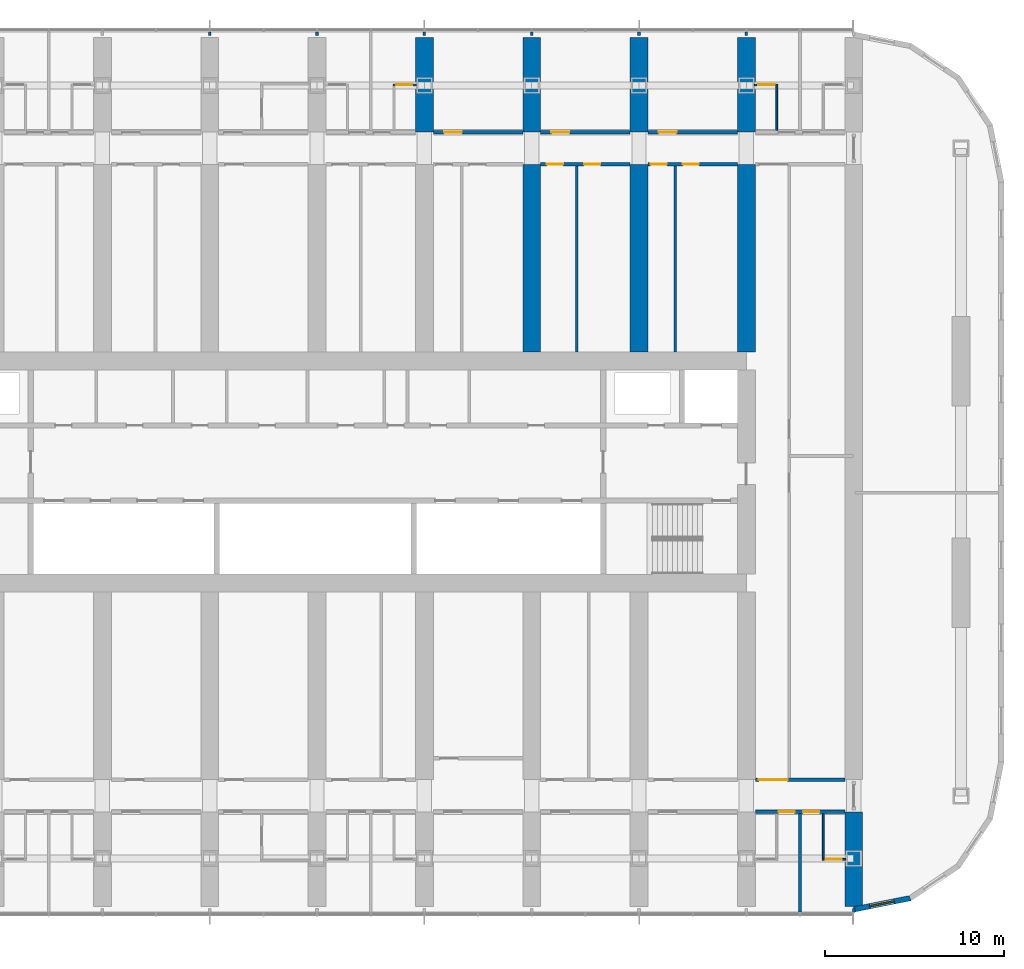
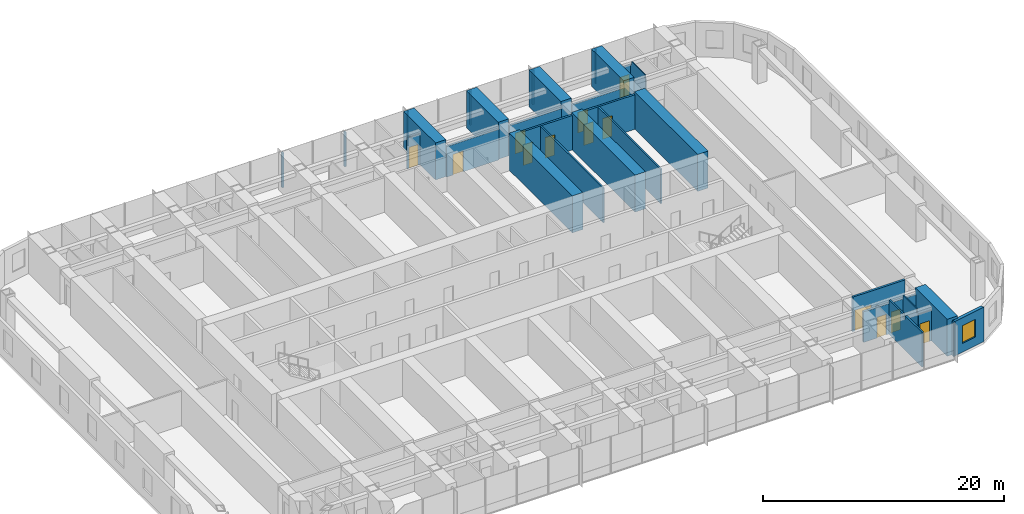
# One storey, part 16 of 23: 31 walls, 13 doors, 1 window, 14 openings.
"""IFC4 building model written with IfcOpenShell, lengths in metres."""

from ifc_helpers import new_model, si_unit, direction, frame, frame_2d, origin, place, context, subcontext, project, spatial, polyline, rectangle, outline, extrude, material, layer, layer_set, type_object, element, fill, save


model = new_model("IFC4")

# Units and contexts
model_context = context("Model", 3, precision=1e-05, world=origin(), true_north=direction((0.0, 1.0)))
body_context = subcontext(model_context, "Body", "Model", "MODEL_VIEW")
ifc_project = project(units=[si_unit("LENGTHUNIT", "METRE"), si_unit("AREAUNIT", "SQUARE_METRE"), si_unit("VOLUMEUNIT", "CUBIC_METRE"), si_unit("PLANEANGLEUNIT", "RADIAN"), si_unit("MASSUNIT", "GRAM", prefix="KILO")], contexts=[model_context])

# Site, building, storey
site_placement = place(None, origin())
site = spatial("IfcSite", under=ifc_project, at=site_placement, CompositionType="ELEMENT")
building_placement = place(site_placement, origin())
building = spatial("IfcBuilding", under=site, at=building_placement, Name="Orbita Commons", CompositionType="ELEMENT")
storey_placement = place(building_placement, frame((0.0, 0.0, 61.449951171875)))
storey = spatial("IfcBuildingStorey", under=building, at=storey_placement, Name="L15", CompositionType="ELEMENT", Elevation=61.449951171875)

# Wall, openings, doors
ifc_material_1 = material(Name="Concrete blockwork", Category="masonry")
ifc_layer_1 = layer(ifc_material_1, 0.199951171875)
ifc_layer_set_1 = layer_set([ifc_layer_1], Name="Concrete blockwork")
wall_type_1 = type_object("IfcWallType", Name="Corridor wall 200 blockwork", PredefinedType="SOLIDWALL", material=ifc_layer_set_1)
wall_1_placement = place(storey_placement, frame((66.5, 13.0, 0.0), z_axis=(0.0, 0.0, 1.0), x_axis=(1.0, 0.0, 0.0)))
wall_1 = element("IfcWall", 1, at=wall_1_placement, inside=storey, type_object=wall_type_1, Name="Corridor wall 200 blockwork L15", PredefinedType="SOLIDWALL", context=body_context, shape_type="SweptSolid", body=[
    extrude(outline(polyline([(0.0, 0.0), (5.0, 0.0), (5.0, 3.10009765625), (0.0, 3.10009765625), (0.0, 0.0)])), frame((0.0, 0.10009765625, 0.0), z_axis=(0.0, -1.0, 0.0), x_axis=(1.0, 0.0, 0.0)), (0.0, 0.0, 1.0), 0.199951171875),
])
opening_1_placement = place(wall_1_placement, frame((1.300048828125, 0.0, 0.0)))
opening_1 = element("IfcOpeningElement", 2, at=opening_1_placement, cuts=wall_1, Name="Opening D11", PredefinedType="OPENING", context=body_context, shape_type="SweptSolid", body=[
    extrude(rectangle(XDim=0.89990234375, YDim=2.10009765625, at=frame_2d((0.449951171875, 1.050048828125))), frame((0.0, 0.10986328125, 0.0), z_axis=(0.0, -1.0, 0.0), x_axis=(1.0, 0.0, 0.0)), (0.0, 0.0, 1.0), 0.219970703125),
])
opening_2_placement = place(wall_1_placement, frame((2.675048828125, 0.0, 0.0)))
opening_2 = element("IfcOpeningElement", 3, at=opening_2_placement, cuts=wall_1, Name="Opening D11", PredefinedType="OPENING", context=body_context, shape_type="SweptSolid", body=[
    extrude(rectangle(XDim=0.89990234375, YDim=2.10009765625, at=frame_2d((0.449951171875, 1.050048828125))), frame((0.0, 0.10986328125, 0.0), z_axis=(0.0, -1.0, 0.0), x_axis=(1.0, 0.0, 0.0)), (0.0, 0.0, 1.0), 0.219970703125),
])
ifc_material_2 = material(Name="Steel-faced fire door leaf", Category="steel")
door_type_1 = type_object("IfcDoorType", Name="Corridor door 20 min 900x2100", OperationType="SINGLE_SWING_LEFT", PredefinedType="DOOR", material=ifc_material_2)
door_1_placement = place(opening_1_placement, origin())
door_1 = element("IfcDoor", 4, at=door_1_placement, inside=storey, type_object=door_type_1, Name="House bedroom L15-S18 door", OperationType="SINGLE_SWING_LEFT", OverallHeight=2.10009765625, OverallWidth=0.89990234375, PredefinedType="DOOR", context=body_context, shape_type="SweptSolid", body=[
    extrude(rectangle(XDim=0.89990234375, YDim=2.10009765625, at=frame_2d((0.449951171875, 1.050048828125))), frame((0.0, 0.02490234375, 0.0), z_axis=(0.0, -1.0, 0.0), x_axis=(1.0, 0.0, 0.0)), (0.0, 0.0, 1.0), 0.050048828125),
])
fill(opening_1, door_1)
door_2_placement = place(opening_2_placement, origin())
door_2 = element("IfcDoor", 5, at=door_2_placement, inside=storey, type_object=door_type_1, Name="House bedroom L15-S19 door", OperationType="SINGLE_SWING_LEFT", OverallHeight=2.10009765625, OverallWidth=0.89990234375, PredefinedType="DOOR", context=body_context, shape_type="SweptSolid", body=[
    extrude(rectangle(XDim=0.89990234375, YDim=2.10009765625, at=frame_2d((0.449951171875, 1.050048828125))), frame((0.0, 0.02490234375, 0.0), z_axis=(0.0, -1.0, 0.0), x_axis=(1.0, 0.0, 0.0)), (0.0, 0.0, 1.0), 0.050048828125),
])
fill(opening_2, door_2)

# Wall, opening, door
wall_2_placement = place(storey_placement, frame((48.5, 51.0, 0.0), z_axis=(0.0, 0.0, 1.0), x_axis=(1.0, 0.0, 0.0)))
wall_2 = element("IfcWall", 6, at=wall_2_placement, inside=storey, type_object=wall_type_1, Name="Corridor wall 200 blockwork L15", PredefinedType="SOLIDWALL", context=body_context, shape_type="SweptSolid", body=[
    extrude(outline(polyline([(0.0, 0.0), (5.0, 0.0), (5.0, 3.10009765625), (0.0, 3.10009765625), (0.0, 0.0)])), frame((0.0, 0.10009765625, 0.0), z_axis=(0.0, -1.0, 0.0), x_axis=(1.0, 0.0, 0.0)), (0.0, 0.0, 1.0), 0.199951171875),
])
opening_3_placement = place(wall_2_placement, frame((0.60009765625, 0.0, 0.0)))
opening_3 = element("IfcOpeningElement", 7, at=opening_3_placement, cuts=wall_2, Name="Opening D06", PredefinedType="OPENING", context=body_context, shape_type="SweptSolid", body=[
    extrude(rectangle(XDim=1.0, YDim=2.10009765625, at=frame_2d((0.5, 1.050048828125))), frame((0.0, 0.10986328125, 0.0), z_axis=(0.0, -1.0, 0.0), x_axis=(1.0, 0.0, 0.0)), (0.0, 0.0, 1.0), 0.219970703125),
])
ifc_material_3 = material(Name="Steel-faced fire door leaf", Category="steel")
door_type_2 = type_object("IfcDoorType", Name="Corridor door 20 min 1000x2100", OperationType="SINGLE_SWING_LEFT", PredefinedType="DOOR", material=ifc_material_3)
door_3_placement = place(opening_3_placement, origin())
door_3 = element("IfcDoor", 8, at=door_3_placement, inside=storey, type_object=door_type_2, Name="House study room L15-N12 door", OperationType="SINGLE_SWING_LEFT", OverallHeight=2.10009765625, OverallWidth=1.0, PredefinedType="DOOR", context=body_context, shape_type="SweptSolid", body=[
    extrude(rectangle(XDim=1.0, YDim=2.10009765625, at=frame_2d((0.5, 1.050048828125))), frame((0.0, 0.02490234375, 0.0), z_axis=(0.0, -1.0, 0.0), x_axis=(1.0, 0.0, 0.0)), (0.0, 0.0, 1.0), 0.050048828125),
])
fill(opening_3, door_3)

wall_3_placement = place(storey_placement, frame((54.5, 51.0, 0.0), z_axis=(0.0, 0.0, 1.0), x_axis=(1.0, 0.0, 0.0)))
wall_3 = element("IfcWall", 9, at=wall_3_placement, inside=storey, type_object=wall_type_1, Name="Corridor wall 200 blockwork L15", PredefinedType="SOLIDWALL", context=body_context, shape_type="SweptSolid", body=[
    extrude(outline(polyline([(0.0, 0.0), (5.0, 0.0), (5.0, 3.10009765625), (0.0, 3.10009765625), (0.0, 0.0)])), frame((0.0, 0.10009765625, 0.0), z_axis=(0.0, -1.0, 0.0), x_axis=(1.0, 0.0, 0.0)), (0.0, 0.0, 1.0), 0.199951171875),
])
opening_4_placement = place(wall_3_placement, frame((0.60009765625, 0.0, 0.0)))
opening_4 = element("IfcOpeningElement", 10, at=opening_4_placement, cuts=wall_3, Name="Opening D06", PredefinedType="OPENING", context=body_context, shape_type="SweptSolid", body=[
    extrude(rectangle(XDim=1.0, YDim=2.10009765625, at=frame_2d((0.5, 1.050048828125))), frame((0.0, 0.10986328125, 0.0), z_axis=(0.0, -1.0, 0.0), x_axis=(1.0, 0.0, 0.0)), (0.0, 0.0, 1.0), 0.219970703125),
])
door_4_placement = place(opening_4_placement, origin())
door_4 = element("IfcDoor", 11, at=door_4_placement, inside=storey, type_object=door_type_2, Name="House kitchen-diner L15-N14 door", OperationType="SINGLE_SWING_LEFT", OverallHeight=2.10009765625, OverallWidth=1.0, PredefinedType="DOOR", context=body_context, shape_type="SweptSolid", body=[
    extrude(rectangle(XDim=1.0, YDim=2.10009765625, at=frame_2d((0.5, 1.050048828125))), frame((0.0, 0.02490234375, 0.0), z_axis=(0.0, -1.0, 0.0), x_axis=(1.0, 0.0, 0.0)), (0.0, 0.0, 1.0), 0.050048828125),
])
fill(opening_4, door_4)

wall_4_placement = place(storey_placement, frame((60.5, 51.0, 0.0), z_axis=(0.0, 0.0, 1.0), x_axis=(1.0, 0.0, 0.0)))
wall_4 = element("IfcWall", 12, at=wall_4_placement, inside=storey, type_object=wall_type_1, Name="Corridor wall 200 blockwork L15", PredefinedType="SOLIDWALL", context=body_context, shape_type="SweptSolid", body=[
    extrude(outline(polyline([(0.0, 0.0), (5.0, 0.0), (5.0, 3.10009765625), (0.0, 3.10009765625), (0.0, 0.0)])), frame((0.0, 0.10009765625, 0.0), z_axis=(0.0, -1.0, 0.0), x_axis=(1.0, 0.0, 0.0)), (0.0, 0.0, 1.0), 0.199951171875),
])
opening_5_placement = place(wall_4_placement, frame((0.60009765625, 0.0, 0.0)))
opening_5 = element("IfcOpeningElement", 13, at=opening_5_placement, cuts=wall_4, Name="Opening D06", PredefinedType="OPENING", context=body_context, shape_type="SweptSolid", body=[
    extrude(rectangle(XDim=1.0, YDim=2.10009765625, at=frame_2d((0.5, 1.050048828125))), frame((0.0, 0.10986328125, 0.0), z_axis=(0.0, -1.0, 0.0), x_axis=(1.0, 0.0, 0.0)), (0.0, 0.0, 1.0), 0.219970703125),
])
door_5_placement = place(opening_5_placement, origin())
door_5 = element("IfcDoor", 14, at=door_5_placement, inside=storey, type_object=door_type_2, Name="House study room L15-N16 door", OperationType="SINGLE_SWING_LEFT", OverallHeight=2.10009765625, OverallWidth=1.0, PredefinedType="DOOR", context=body_context, shape_type="SweptSolid", body=[
    extrude(rectangle(XDim=1.0, YDim=2.10009765625, at=frame_2d((0.5, 1.050048828125))), frame((0.0, 0.02490234375, 0.0), z_axis=(0.0, -1.0, 0.0), x_axis=(1.0, 0.0, 0.0)), (0.0, 0.0, 1.0), 0.050048828125),
])
fill(opening_5, door_5)

ifc_material_4 = material(Name="Hollow concrete block 200", Category="concrete")
ifc_layer_2 = layer(ifc_material_4, 0.199951171875)
ifc_layer_set_2 = layer_set([ifc_layer_2], Name="Hollow concrete block 200")
wall_type_2 = type_object("IfcWallType", Name="Corridor wall 200 hollow concrete block", PredefinedType="SOLIDWALL", material=ifc_layer_set_2)
wall_5_placement = place(storey_placement, frame((66.5, 14.800048828125, 0.0), z_axis=(0.0, 0.0, 1.0), x_axis=(1.0, 0.0, 0.0)))
wall_5 = element("IfcWall", 15, at=wall_5_placement, inside=storey, type_object=wall_type_2, Name="Corridor wall 200 hollow concrete block L15", PredefinedType="SOLIDWALL", context=body_context, shape_type="SweptSolid", body=[
    extrude(rectangle(XDim=5.0, YDim=0.199951171875, at=frame_2d((2.5, 0.0))), origin(), (0.0, 0.0, 1.0), 3.5),
])
opening_6_placement = place(wall_5_placement, frame((0.199951171875, 0.0, 0.0)))
opening_6 = element("IfcOpeningElement", 16, at=opening_6_placement, cuts=wall_5, Name="Opening D10", PredefinedType="OPENING", context=body_context, shape_type="SweptSolid", body=[
    extrude(rectangle(XDim=1.60009765625, YDim=2.10009765625, at=frame_2d((0.800048828125, 1.050048828125))), frame((0.0, 0.10986328125, 0.0), z_axis=(0.0, -1.0, 0.0), x_axis=(1.0, 0.0, 0.0)), (0.0, 0.0, 1.0), 0.219970703125),
])
ifc_material_5 = material(Name="Steel-faced fire door leaf", Category="steel")
door_type_3 = type_object("IfcDoorType", Name="Double corridor door 20 min 1600x2100", OperationType="DOUBLE_DOOR_SINGLE_SWING", PredefinedType="DOOR", material=ifc_material_5)
door_6_placement = place(opening_6_placement, origin())
door_6 = element("IfcDoor", 17, at=door_6_placement, inside=storey, type_object=door_type_3, Name="Cross corridor doors", OperationType="DOUBLE_DOOR_SINGLE_SWING", OverallHeight=2.10009765625, OverallWidth=1.60009765625, PredefinedType="DOOR", context=body_context, shape_type="SweptSolid", body=[
    extrude(rectangle(XDim=1.60009765625, YDim=2.10009765625, at=frame_2d((0.800048828125, 1.050048828125))), frame((0.0, 0.02490234375, 0.0), z_axis=(0.0, -1.0, 0.0), x_axis=(1.0, 0.0, 0.0)), (0.0, 0.0, 1.0), 0.050048828125),
])
fill(opening_6, door_6)

# Wall, openings, doors
wall_6_placement = place(storey_placement, frame((54.5, 49.199951171875, 0.0), z_axis=(0.0, 0.0, 1.0), x_axis=(1.0, 0.0, 0.0)))
wall_6 = element("IfcWall", 18, at=wall_6_placement, inside=storey, type_object=wall_type_2, Name="Corridor wall 200 hollow concrete block L15", PredefinedType="SOLIDWALL", context=body_context, shape_type="SweptSolid", body=[
    extrude(rectangle(XDim=5.0, YDim=0.199951171875, at=frame_2d((2.5, 0.0))), origin(), (0.0, 0.0, 1.0), 3.5),
])
opening_7_placement = place(wall_6_placement, frame((0.35009765625, 0.0, 0.0)))
opening_7 = element("IfcOpeningElement", 19, at=opening_7_placement, cuts=wall_6, Name="Opening D11", PredefinedType="OPENING", context=body_context, shape_type="SweptSolid", body=[
    extrude(rectangle(XDim=0.89990234375, YDim=2.10009765625, at=frame_2d((0.449951171875, 1.050048828125))), frame((0.0, 0.10986328125, 0.0), z_axis=(0.0, -1.0, 0.0), x_axis=(1.0, 0.0, 0.0)), (0.0, 0.0, 1.0), 0.219970703125),
])
opening_8_placement = place(wall_6_placement, frame((2.43505859375, 0.0, 0.0)))
opening_8 = element("IfcOpeningElement", 20, at=opening_8_placement, cuts=wall_6, Name="Opening D11", PredefinedType="OPENING", context=body_context, shape_type="SweptSolid", body=[
    extrude(rectangle(XDim=0.89990234375, YDim=2.10009765625, at=frame_2d((0.449951171875, 1.050048828125))), frame((0.0, 0.10986328125, 0.0), z_axis=(0.0, -1.0, 0.0), x_axis=(1.0, 0.0, 0.0)), (0.0, 0.0, 1.0), 0.219970703125),
])
door_7_placement = place(opening_7_placement, origin())
door_7 = element("IfcDoor", 21, at=door_7_placement, inside=storey, type_object=door_type_1, Name="Battery and UPS room L15-BDN54n door", OperationType="SINGLE_SWING_LEFT", OverallHeight=2.10009765625, OverallWidth=0.89990234375, PredefinedType="DOOR", context=body_context, shape_type="SweptSolid", body=[
    extrude(rectangle(XDim=0.89990234375, YDim=2.10009765625, at=frame_2d((0.449951171875, 1.050048828125))), frame((0.0, 0.02490234375, 0.0), z_axis=(0.0, -1.0, 0.0), x_axis=(1.0, 0.0, 0.0)), (0.0, 0.0, 1.0), 0.050048828125),
])
fill(opening_7, door_7)
door_8_placement = place(opening_8_placement, origin())
door_8 = element("IfcDoor", 22, at=door_8_placement, inside=storey, type_object=door_type_1, Name="Storage lockers L15-BDN54 door", OperationType="SINGLE_SWING_LEFT", OverallHeight=2.10009765625, OverallWidth=0.89990234375, PredefinedType="DOOR", context=body_context, shape_type="SweptSolid", body=[
    extrude(rectangle(XDim=0.89990234375, YDim=2.10009765625, at=frame_2d((0.449951171875, 1.050048828125))), frame((0.0, 0.02490234375, 0.0), z_axis=(0.0, -1.0, 0.0), x_axis=(1.0, 0.0, 0.0)), (0.0, 0.0, 1.0), 0.050048828125),
])
fill(opening_8, door_8)

wall_7_placement = place(storey_placement, frame((60.5, 49.199951171875, 0.0), z_axis=(0.0, 0.0, 1.0), x_axis=(1.0, 0.0, 0.0)))
wall_7 = element("IfcWall", 23, at=wall_7_placement, inside=storey, type_object=wall_type_2, Name="Corridor wall 200 hollow concrete block L15", PredefinedType="SOLIDWALL", context=body_context, shape_type="SweptSolid", body=[
    extrude(rectangle(XDim=5.0, YDim=0.199951171875, at=frame_2d((2.5, 0.0))), origin(), (0.0, 0.0, 1.0), 3.5),
])
opening_9_placement = place(wall_7_placement, frame((0.14990234375, 0.0, 0.0)))
opening_9 = element("IfcOpeningElement", 24, at=opening_9_placement, cuts=wall_7, Name="Opening D11", PredefinedType="OPENING", context=body_context, shape_type="SweptSolid", body=[
    extrude(rectangle(XDim=0.89990234375, YDim=2.10009765625, at=frame_2d((0.449951171875, 1.050048828125))), frame((0.0, 0.10986328125, 0.0), z_axis=(0.0, -1.0, 0.0), x_axis=(1.0, 0.0, 0.0)), (0.0, 0.0, 1.0), 0.219970703125),
])
opening_10_placement = place(wall_7_placement, frame((1.949951171875, 0.0, 0.0)))
opening_10 = element("IfcOpeningElement", 25, at=opening_10_placement, cuts=wall_7, Name="Opening D11", PredefinedType="OPENING", context=body_context, shape_type="SweptSolid", body=[
    extrude(rectangle(XDim=0.89990234375, YDim=2.10009765625, at=frame_2d((0.449951171875, 1.050048828125))), frame((0.0, 0.10986328125, 0.0), z_axis=(0.0, -1.0, 0.0), x_axis=(1.0, 0.0, 0.0)), (0.0, 0.0, 1.0), 0.219970703125),
])
door_9_placement = place(opening_9_placement, origin())
door_9 = element("IfcDoor", 26, at=door_9_placement, inside=storey, type_object=door_type_1, Name="Sprinkler valve room L15-BDN60n door", OperationType="SINGLE_SWING_LEFT", OverallHeight=2.10009765625, OverallWidth=0.89990234375, PredefinedType="DOOR", context=body_context, shape_type="SweptSolid", body=[
    extrude(rectangle(XDim=0.89990234375, YDim=2.10009765625, at=frame_2d((0.449951171875, 1.050048828125))), frame((0.0, 0.02490234375, 0.0), z_axis=(0.0, -1.0, 0.0), x_axis=(1.0, 0.0, 0.0)), (0.0, 0.0, 1.0), 0.050048828125),
])
fill(opening_9, door_9)
door_10_placement = place(opening_10_placement, origin())
door_10 = element("IfcDoor", 27, at=door_10_placement, inside=storey, type_object=door_type_1, Name="Ventilation plant room south L15-BDN60 door", OperationType="SINGLE_SWING_LEFT", OverallHeight=2.10009765625, OverallWidth=0.89990234375, PredefinedType="DOOR", context=body_context, shape_type="SweptSolid", body=[
    extrude(rectangle(XDim=0.89990234375, YDim=2.10009765625, at=frame_2d((0.449951171875, 1.050048828125))), frame((0.0, 0.02490234375, 0.0), z_axis=(0.0, -1.0, 0.0), x_axis=(1.0, 0.0, 0.0)), (0.0, 0.0, 1.0), 0.050048828125),
])
fill(opening_10, door_10)

# Walls
ifc_material_6 = material(Name="Concrete C50/60", Category="concrete")
ifc_layer_3 = layer(ifc_material_6, 1.0)
ifc_layer_set_3 = layer_set([ifc_layer_3], Name="Concrete C50/60")
wall_type_3 = type_object("IfcWallType", Name="Cross wall 1000 C50/60", PredefinedType="SHEAR", material=ifc_layer_set_3)
for number, where, z_axis, x_axis, name in (
    (28, (48.0, 51.0, 0.0), (0.0, 0.0, 1.0), (0.0, 1.0, 0.0), "Cross wall 9 north outer L15"),
    (29, (54.0, 51.0, 0.0), (0.0, 0.0, 1.0), (0.0, 1.0, 0.0), "Cross wall 10 north outer L15"),
):
    element("IfcWall", number, at=place(storey_placement, frame(where, z_axis=z_axis, x_axis=x_axis)), inside=storey, type_object=wall_type_3, Name=name, PredefinedType="SHEAR", context=body_context, shape_type="SweptSolid", body=[
        extrude(rectangle(XDim=5.300048828125, YDim=1.0, at=frame_2d((2.64990234375, 0.0))), origin(), (0.0, 0.0, 1.0), 3.75),
    ])
wall_8_placement = place(storey_placement, frame((54.0, 38.699951171875, 0.0), z_axis=(0.0, 0.0, 1.0), x_axis=(0.0, 1.0, 0.0)))
element("IfcWall", 30, at=wall_8_placement, inside=storey, type_object=wall_type_3, Name="Cross wall 10 north inner L15", PredefinedType="SHEAR", context=body_context, shape_type="SweptSolid", body=[
    extrude(rectangle(XDim=10.5, YDim=1.0, at=frame_2d((5.25, 0.0))), origin(), (0.0, 0.0, 1.0), 3.75),
])
wall_9_placement = place(storey_placement, frame((60.0, 51.0, 0.0), z_axis=(0.0, 0.0, 1.0), x_axis=(0.0, 1.0, 0.0)))
element("IfcWall", 31, at=wall_9_placement, inside=storey, type_object=wall_type_3, Name="Cross wall 11 north outer L15", PredefinedType="SHEAR", context=body_context, shape_type="SweptSolid", body=[
    extrude(rectangle(XDim=5.300048828125, YDim=1.0, at=frame_2d((2.64990234375, 0.0))), origin(), (0.0, 0.0, 1.0), 3.75),
])
wall_10_placement = place(storey_placement, frame((60.0, 38.699951171875, 0.0), z_axis=(0.0, 0.0, 1.0), x_axis=(0.0, 1.0, 0.0)))
element("IfcWall", 32, at=wall_10_placement, inside=storey, type_object=wall_type_3, Name="Cross wall 11 north inner L15", PredefinedType="SHEAR", context=body_context, shape_type="SweptSolid", body=[
    extrude(rectangle(XDim=10.5, YDim=1.0, at=frame_2d((5.25, 0.0))), origin(), (0.0, 0.0, 1.0), 3.75),
])
wall_11_placement = place(storey_placement, frame((66.0, 51.0, 0.0), z_axis=(0.0, 0.0, 1.0), x_axis=(0.0, 1.0, 0.0)))
element("IfcWall", 33, at=wall_11_placement, inside=storey, type_object=wall_type_3, Name="Cross wall 12 north outer L15", PredefinedType="SHEAR", context=body_context, shape_type="SweptSolid", body=[
    extrude(rectangle(XDim=5.300048828125, YDim=1.0, at=frame_2d((2.64990234375, 0.0))), origin(), (0.0, 0.0, 1.0), 3.75),
])
wall_12_placement = place(storey_placement, frame((66.0, 38.699951171875, 0.0), z_axis=(0.0, 0.0, 1.0), x_axis=(0.0, 1.0, 0.0)))
element("IfcWall", 34, at=wall_12_placement, inside=storey, type_object=wall_type_3, Name="Cross wall 12 north inner L15", PredefinedType="SHEAR", context=body_context, shape_type="SweptSolid", body=[
    extrude(rectangle(XDim=10.5, YDim=1.0, at=frame_2d((5.25, 0.0))), origin(), (0.0, 0.0, 1.0), 3.75),
])
wall_13_placement = place(storey_placement, frame((72.0, 7.699951171875, 0.0), z_axis=(0.0, 0.0, 1.0), x_axis=(0.0, 1.0, 0.0)))
element("IfcWall", 35, at=wall_13_placement, inside=storey, type_object=wall_type_3, Name="Cross wall 13 south outer L15", PredefinedType="SHEAR", context=body_context, shape_type="SweptSolid", body=[
    extrude(rectangle(XDim=5.300048828125, YDim=1.0, at=frame_2d((2.64990234375, 0.0))), origin(), (0.0, 0.0, 1.0), 3.75),
])

# Wall, opening, door
ifc_material_7 = material(Name="Moisture-resistant plasterboard on steel studs", Category="steel")
ifc_layer_4 = layer(ifc_material_7, 0.10009765625)
ifc_layer_set_4 = layer_set([ifc_layer_4], Name="Moisture-resistant plasterboard on steel studs")
wall_type_4 = type_object("IfcWallType", Name="En-suite partition 100", PredefinedType="PARTITIONING", material=ifc_layer_set_4)
wall_14_placement = place(storey_placement, frame((71.550048828125, 10.3583984375, 0.0), z_axis=(0.0, 0.0, 1.0), x_axis=(-1.0, 0.0, 0.0)))
wall_14 = element("IfcWall", 36, at=wall_14_placement, inside=storey, type_object=wall_type_4, Name="En-suite partition 100 L15", PredefinedType="PARTITIONING", context=body_context, shape_type="SweptSolid", body=[
    extrude(outline(polyline([(0.0, 0.0), (1.300048828125, 0.0), (1.300048828125, 3.10009765625), (0.0, 3.10009765625), (0.0, 0.0)])), frame((0.0, 0.050048828125, 0.0), z_axis=(0.0, -1.0, 0.0), x_axis=(1.0, 0.0, 0.0)), (0.0, 0.0, 1.0), 0.10009765625),
])
opening_11_placement = place(wall_14_placement, frame((0.22509765625, 0.0, 0.0)))
opening_11 = element("IfcOpeningElement", 37, at=opening_11_placement, cuts=wall_14, Name="Opening D09", PredefinedType="OPENING", context=body_context, shape_type="SweptSolid", body=[
    extrude(rectangle(XDim=0.89990234375, YDim=2.10009765625, at=frame_2d((0.449951171875, 1.050048828125))), frame((0.0, 0.06005859375, 0.0), z_axis=(0.0, -1.0, 0.0), x_axis=(1.0, 0.0, 0.0)), (0.0, 0.0, 1.0), 0.1201171875),
])
ifc_material_8 = material(Name="Laminated timber door leaf", Category="wood")
door_type_4 = type_object("IfcDoorType", Name="En-suite door 900x2100", OperationType="SINGLE_SWING_RIGHT", PredefinedType="DOOR", material=ifc_material_8)
door_11_placement = place(opening_11_placement, origin())
door_11 = element("IfcDoor", 38, at=door_11_placement, inside=storey, type_object=door_type_4, Name="En-suite L15-S19 door", OperationType="SINGLE_SWING_RIGHT", OverallHeight=2.10009765625, OverallWidth=0.89990234375, PredefinedType="DOOR", context=body_context, shape_type="SweptSolid", body=[
    extrude(rectangle(XDim=0.89990234375, YDim=2.10009765625, at=frame_2d((0.449951171875, 1.050048828125))), frame((0.0, 0.02490234375, 0.0), z_axis=(0.0, -1.0, 0.0), x_axis=(1.0, 0.0, 0.0)), (0.0, 0.0, 1.0), 0.050048828125),
])
fill(opening_11, door_11)

# Wall
wall_15_placement = place(storey_placement, frame((70.300048828125, 10.408203125, 0.0), z_axis=(0.0, 0.0, 1.0), x_axis=(0.0, 1.0, 0.0)))
element("IfcWall", 39, at=wall_15_placement, inside=storey, type_object=wall_type_4, Name="En-suite partition 100 L15", PredefinedType="PARTITIONING", context=body_context, shape_type="SweptSolid", body=[
    extrude(outline(polyline([(0.0, 0.0), (2.49169921875, 0.0), (2.49169921875, 3.10009765625), (2.443603515625, 3.10009765625), (2.441650390625, 3.5), (0.193603515625, 3.5), (0.191650390625, 3.10009765625), (0.0, 3.10009765625), (0.0, 0.0)])), frame((0.0, 0.050048828125, 0.0), z_axis=(0.0, -1.0, 0.0), x_axis=(1.0, 0.0, 0.0)), (0.0, 0.0, 1.0), 0.10009765625),
])

# Wall, opening, door
wall_16_placement = place(storey_placement, frame((46.25, 53.6416015625, 0.0), z_axis=(0.0, 0.0, 1.0), x_axis=(1.0, 0.0, 0.0)))
wall_16 = element("IfcWall", 40, at=wall_16_placement, inside=storey, type_object=wall_type_4, Name="En-suite partition 100 L15", PredefinedType="PARTITIONING", context=body_context, shape_type="SweptSolid", body=[
    extrude(outline(polyline([(0.0, 0.0), (1.300048828125, 0.0), (1.300048828125, 3.10009765625), (0.0, 3.10009765625), (0.0, 0.0)])), frame((0.0, 0.050048828125, 0.0), z_axis=(0.0, -1.0, 0.0), x_axis=(1.0, 0.0, 0.0)), (0.0, 0.0, 1.0), 0.10009765625),
])
opening_12_placement = place(wall_16_placement, frame((0.175048828125, 0.0, 0.0)))
opening_12 = element("IfcOpeningElement", 41, at=opening_12_placement, cuts=wall_16, Name="Opening D09", PredefinedType="OPENING", context=body_context, shape_type="SweptSolid", body=[
    extrude(rectangle(XDim=0.89990234375, YDim=2.10009765625, at=frame_2d((0.449951171875, 1.050048828125))), frame((0.0, 0.06005859375, 0.0), z_axis=(0.0, -1.0, 0.0), x_axis=(1.0, 0.0, 0.0)), (0.0, 0.0, 1.0), 0.1201171875),
])
door_12_placement = place(opening_12_placement, origin())
door_12 = element("IfcDoor", 42, at=door_12_placement, inside=storey, type_object=door_type_4, Name="En-suite L15-N11 door", OperationType="SINGLE_SWING_RIGHT", OverallHeight=2.10009765625, OverallWidth=0.89990234375, PredefinedType="DOOR", context=body_context, shape_type="SweptSolid", body=[
    extrude(rectangle(XDim=0.89990234375, YDim=2.10009765625, at=frame_2d((0.449951171875, 1.050048828125))), frame((0.0, 0.02490234375, 0.0), z_axis=(0.0, -1.0, 0.0), x_axis=(1.0, 0.0, 0.0)), (0.0, 0.0, 1.0), 0.050048828125),
])
fill(opening_12, door_12)

wall_17_placement = place(storey_placement, frame((66.449951171875, 53.6416015625, 0.0), z_axis=(0.0, 0.0, 1.0), x_axis=(1.0, 0.0, 0.0)))
wall_17 = element("IfcWall", 43, at=wall_17_placement, inside=storey, type_object=wall_type_4, Name="En-suite partition 100 L15", PredefinedType="PARTITIONING", context=body_context, shape_type="SweptSolid", body=[
    extrude(outline(polyline([(0.0, 0.0), (1.300048828125, 0.0), (1.300048828125, 3.10009765625), (0.0, 3.10009765625), (0.0, 0.0)])), frame((0.0, 0.050048828125, 0.0), z_axis=(0.0, -1.0, 0.0), x_axis=(1.0, 0.0, 0.0)), (0.0, 0.0, 1.0), 0.10009765625),
])
opening_13_placement = place(wall_17_placement, frame((0.22509765625, 0.0, 0.0)))
opening_13 = element("IfcOpeningElement", 44, at=opening_13_placement, cuts=wall_17, Name="Opening D09", PredefinedType="OPENING", context=body_context, shape_type="SweptSolid", body=[
    extrude(rectangle(XDim=0.89990234375, YDim=2.10009765625, at=frame_2d((0.449951171875, 1.050048828125))), frame((0.0, 0.06005859375, 0.0), z_axis=(0.0, -1.0, 0.0), x_axis=(1.0, 0.0, 0.0)), (0.0, 0.0, 1.0), 0.1201171875),
])
door_13_placement = place(opening_13_placement, origin())
door_13 = element("IfcDoor", 45, at=door_13_placement, inside=storey, type_object=door_type_4, Name="En-suite L15-N18 door", OperationType="SINGLE_SWING_RIGHT", OverallHeight=2.10009765625, OverallWidth=0.89990234375, PredefinedType="DOOR", context=body_context, shape_type="SweptSolid", body=[
    extrude(rectangle(XDim=0.89990234375, YDim=2.10009765625, at=frame_2d((0.449951171875, 1.050048828125))), frame((0.0, 0.02490234375, 0.0), z_axis=(0.0, -1.0, 0.0), x_axis=(1.0, 0.0, 0.0)), (0.0, 0.0, 1.0), 0.050048828125),
])
fill(opening_13, door_13)

# Walls
wall_18_placement = place(storey_placement, frame((67.699951171875, 53.591796875, 0.0), z_axis=(0.0, 0.0, 1.0), x_axis=(0.0, -1.0, 0.0)))
element("IfcWall", 46, at=wall_18_placement, inside=storey, type_object=wall_type_4, Name="En-suite partition 100 L15", PredefinedType="PARTITIONING", context=body_context, shape_type="SweptSolid", body=[
    extrude(outline(polyline([(0.0, 0.0), (2.49169921875, 0.0), (2.49169921875, 3.10009765625), (2.443603515625, 3.10009765625), (2.441650390625, 3.5), (0.193603515625, 3.5), (0.191650390625, 3.10009765625), (0.0, 3.10009765625), (0.0, 0.0)])), frame((0.0, 0.050048828125, 0.0), z_axis=(0.0, -1.0, 0.0), x_axis=(1.0, 0.0, 0.0)), (0.0, 0.0, 1.0), 0.10009765625),
])
ifc_material_9 = material(Name="Gypsum plasterboard on steel studs", Category="steel")
ifc_layer_5 = layer(ifc_material_9, 0.14990234375)
ifc_layer_set_5 = layer_set([ifc_layer_5], Name="Gypsum plasterboard on steel studs")
wall_type_5 = type_object("IfcWallType", Name="Partition 150 plasterboard", PredefinedType="PARTITIONING", material=ifc_layer_set_5)
for number, where, z_axis, x_axis, name in (
    (47, (56.510009765625, 38.699951171875, 0.0), (0.0, 0.0, 1.0), (0.0, 1.0, 0.0), "Partition 150 plasterboard L15"),
    (48, (62.02490234375, 38.699951171875, 0.0), (0.0, 0.0, 1.0), (0.0, 1.0, 0.0), "Partition 150 plasterboard L15"),
):
    element("IfcWall", number, at=place(storey_placement, frame(where, z_axis=z_axis, x_axis=x_axis)), inside=storey, type_object=wall_type_5, Name=name, PredefinedType="PARTITIONING", context=body_context, shape_type="SweptSolid", body=[
        extrude(rectangle(XDim=10.400146484375, YDim=0.14990234375, at=frame_2d((5.2001953125, 0.0))), origin(), (0.0, 0.0, 1.0), 3.5),
    ])
for number, where, z_axis, x_axis, name in (
    (49, (36.0, 56.39990234375, 0.0), (0.0, 0.0, 1.0), (0.0, 1.0, 0.0), "Partition 150 plasterboard L15"),
    (50, (42.0, 56.39990234375, 0.0), (0.0, 0.0, 1.0), (0.0, 1.0, 0.0), "Partition 150 plasterboard L15"),
    (51, (48.0, 56.39990234375, 0.0), (0.0, 0.0, 1.0), (0.0, 1.0, 0.0), "Partition 150 plasterboard L15"),
    (52, (54.0, 56.39990234375, 0.0), (0.0, 0.0, 1.0), (0.0, 1.0, 0.0), "Partition 150 plasterboard L15"),
    (53, (60.0, 56.39990234375, 0.0), (0.0, 0.0, 1.0), (0.0, 1.0, 0.0), "Partition 150 plasterboard L15"),
    (54, (66.0, 56.39990234375, 0.0), (0.0, 0.0, 1.0), (0.0, 1.0, 0.0), "Partition 150 plasterboard L15"),
):
    element("IfcWall", number, at=place(storey_placement, frame(where, z_axis=z_axis, x_axis=x_axis)), inside=storey, type_object=wall_type_5, Name=name, PredefinedType="PARTITIONING", context=body_context, shape_type="SweptSolid", body=[
        extrude(rectangle(XDim=0.190185546875, YDim=0.14990234375, at=frame_2d((0.09521484375, 0.0))), origin(), (0.0, 0.0, 1.0), 3.5),
    ])
wall_19_placement = place(storey_placement, frame((72.0, 7.60009765625, 0.0), z_axis=(0.0, 0.0, 1.0), x_axis=(0.0, -1.0, 0.0)))
element("IfcWall", 55, at=wall_19_placement, inside=storey, type_object=wall_type_5, Name="Partition 150 plasterboard L15", PredefinedType="PARTITIONING", context=body_context, shape_type="SweptSolid", body=[
    extrude(rectangle(XDim=0.22021484375, YDim=0.14990234375, at=frame_2d((0.110107421875, 0.0))), origin(), (0.0, 0.0, 1.0), 3.5),
])
ifc_material_10 = material(Name="Gypsum plasterboard on steel studs", Category="steel")
ifc_layer_6 = layer(ifc_material_10, 0.14990234375)
ifc_layer_set_6 = layer_set([ifc_layer_6], Name="Gypsum plasterboard on steel studs")
wall_type_6 = type_object("IfcWallType", Name="Party wall 150 plasterboard", PredefinedType="PARTITIONING", material=ifc_layer_set_6)
wall_20_placement = place(storey_placement, frame((69.0, 7.409912109375, 0.0), z_axis=(0.0, 0.0, 1.0), x_axis=(0.0, 1.0, 0.0)))
element("IfcWall", 56, at=wall_20_placement, inside=storey, type_object=wall_type_6, Name="Party wall 150 plasterboard L15", PredefinedType="PARTITIONING", context=body_context, shape_type="SweptSolid", body=[
    extrude(outline(polyline([(0.0, 0.0), (5.489990234375, 0.0), (5.489990234375, 3.10009765625), (5.44189453125, 3.10009765625), (5.43994140625, 3.5), (3.19189453125, 3.5), (3.18994140625, 3.10009765625), (2.7919921875, 3.10009765625), (2.7900390625, 3.5), (0.0, 3.5), (0.0, 0.0)])), frame((0.0, 0.074951171875, 0.0), z_axis=(0.0, -1.0, 0.0), x_axis=(1.0, 0.0, 0.0)), (0.0, 0.0, 1.0), 0.14990234375),
])

# Wall, opening, window
ifc_material_11 = material(Name="Precast concrete C40/50, white board-marked finish", Category="concrete")
ifc_layer_7 = layer(ifc_material_11, 0.300048828125)
ifc_layer_set_7 = layer_set([ifc_layer_7], Name="Precast concrete C40/50, white board-marked finish")
wall_type_7 = type_object("IfcWallType", Name="Precast concrete end shield 300", PredefinedType="SOLIDWALL", material=ifc_layer_set_7)
wall_21_placement = place(storey_placement, frame((72.0, 7.550048828125, 0.0), z_axis=(0.0, 0.0, 1.0), x_axis=(0.980787251524, 0.195080412259, 0.0)))
wall_21 = element("IfcWall", 57, at=wall_21_placement, inside=storey, type_object=wall_type_7, Name="End shield SE chord 1 L15", PredefinedType="SOLIDWALL", context=body_context, shape_type="SweptSolid", body=[
    extrude(outline(polyline([(-0.02978515625, -0.14990234375), (3.24853515625, -0.14990234375), (3.18896484375, 0.14990234375), (0.02978515625, 0.14990234375), (-0.02978515625, -0.14990234375)])), origin(), (0.0, 0.0, 1.0), 3.5),
])
opening_14_placement = place(wall_21_placement, frame((0.909423828125, 0.0, 0.89990234375)))
opening_14 = element("IfcOpeningElement", 58, at=opening_14_placement, cuts=wall_21, Name="Opening W02", PredefinedType="OPENING", context=body_context, shape_type="SweptSolid", body=[
    extrude(rectangle(XDim=1.39990234375, YDim=1.800048828125, at=frame_2d((0.699951171875, 0.89990234375))), frame((0.0, 0.159912109375, 0.0), z_axis=(0.0, -1.0, 0.0), x_axis=(1.0, 0.0, 0.0)), (0.0, 0.0, 1.0), 0.320068359375),
])
ifc_material_12 = material(Name="Aluminium frame, clear double glazing", Category="aluminium")
window_type = type_object("IfcWindowType", Name="Deep-set window 1400x1800", PartitioningType="SINGLE_PANEL", PredefinedType="WINDOW", material=ifc_material_12)
window_placement = place(opening_14_placement, origin())
window = element("IfcWindow", 59, at=window_placement, inside=storey, type_object=window_type, Name="Window L15-SE0", OverallHeight=1.800048828125, OverallWidth=1.39990234375, PartitioningType="SINGLE_PANEL", PredefinedType="WINDOW", context=body_context, shape_type="SweptSolid", body=[
    extrude(rectangle(XDim=1.39990234375, YDim=1.800048828125, at=frame_2d((0.699951171875, 0.89990234375))), frame((0.0, 0.030029296875, 0.0), z_axis=(0.0, -1.0, 0.0), x_axis=(1.0, 0.0, 0.0)), (0.0, 0.0, 1.0), 0.06005859375),
])
fill(opening_14, window)

save(model, "model.ifc")
